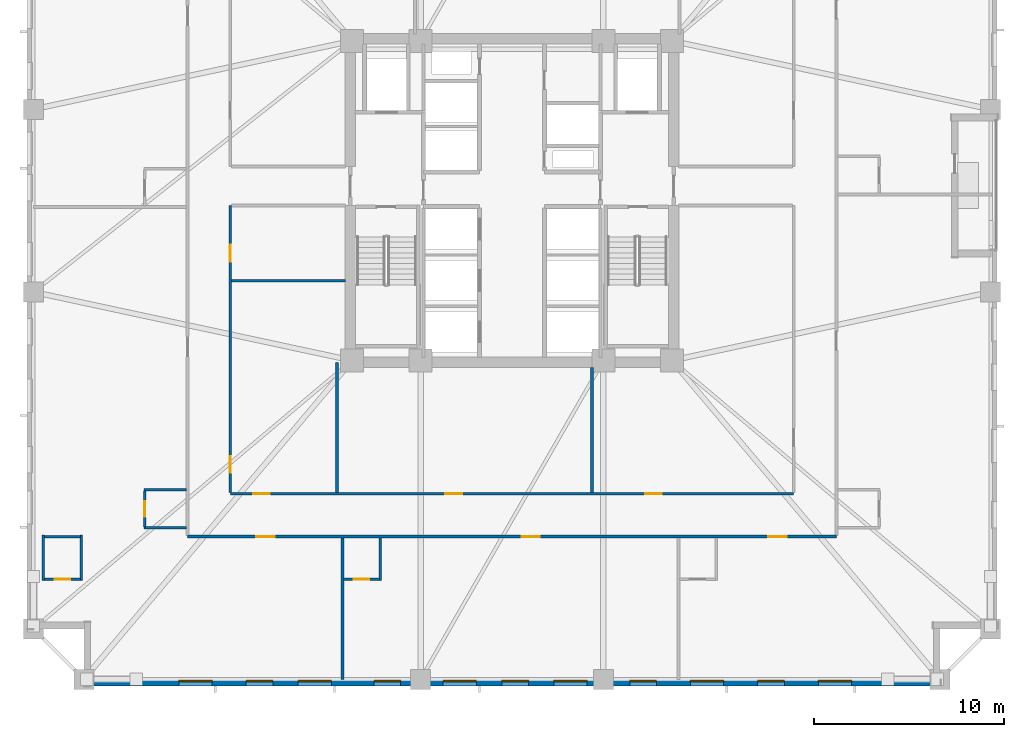
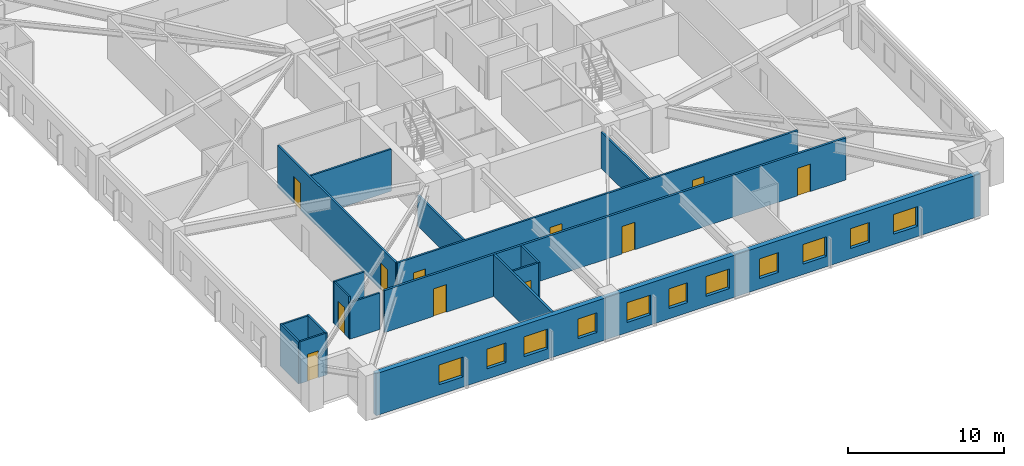
# One storey, part 2 of 11: 17 walls, 11 doors, 11 windows, 22 openings.
"""IFC4 building model written with IfcOpenShell, lengths in metres."""

from ifc_helpers import new_model, si_unit, direction, frame, frame_2d, origin, place, context, subcontext, project, spatial, rectangle, extrude, material, layer, layer_set, type_object, element, fill, save


model = new_model("IFC4")

# Units and contexts
model_context = context("Model", 3, precision=1e-05, world=origin(), true_north=direction((0.0, 1.0)))
body_context = subcontext(model_context, "Body", "Model", "MODEL_VIEW")
ifc_project = project(units=[si_unit("LENGTHUNIT", "METRE"), si_unit("AREAUNIT", "SQUARE_METRE"), si_unit("VOLUMEUNIT", "CUBIC_METRE"), si_unit("PLANEANGLEUNIT", "RADIAN"), si_unit("MASSUNIT", "GRAM", prefix="KILO")], contexts=[model_context])

# Site, building, storey
site_placement = place(None, origin())
site = spatial("IfcSite", under=ifc_project, at=site_placement, CompositionType="ELEMENT")
building_placement = place(site_placement, origin())
building = spatial("IfcBuilding", under=site, at=building_placement, Name="Cairnveth Concourse Tower", CompositionType="ELEMENT")
storey_placement = place(building_placement, frame((0.0, 0.0, 72.5)))
storey = spatial("IfcBuildingStorey", under=building, at=storey_placement, Name="L19", CompositionType="ELEMENT", Elevation=72.5)

# Wall, openings, doors
ifc_material_1 = material(Name="Gypsum Plasterboard Partition", Category="gypsum")
ifc_layer_1 = layer(ifc_material_1, 0.159912109375)
ifc_layer_set_1 = layer_set([ifc_layer_1], Name="Gypsum Plasterboard Partition")
wall_type_1 = type_object("IfcWallType", Name="ACOUSTIC PARTY WALL 180", PredefinedType="PARTITIONING", material=ifc_layer_set_1)
wall_1_placement = place(storey_placement, frame((34.949951171875, 21.35009765625, 0.0), z_axis=(0.0, 0.0, 1.0), x_axis=(1.0, 0.0, 0.0)))
wall_1 = element("IfcWall", 1, at=wall_1_placement, inside=storey, type_object=wall_type_1, Name="Interior Wall IW-L19-037", PredefinedType="PARTITIONING", context=body_context, shape_type="SweptSolid", body=[
    extrude(rectangle(XDim=34.10009765625, YDim=0.159912109375, at=frame_2d((17.050048828125, 0.0))), origin(), (0.0, 0.0, 1.0), 3.280029296875),
])
opening_1_placement = place(wall_1_placement, frame((3.61376953125, 0.0, 0.0)))
opening_1 = element("IfcOpeningElement", 2, at=opening_1_placement, cuts=wall_1, Name="Opening ID09", PredefinedType="OPENING", context=body_context, shape_type="SweptSolid", body=[
    extrude(rectangle(XDim=0.9599609375, YDim=2.14990234375, at=frame_2d((0.47998046875, 1.074951171875))), frame((0.0, 0.08984375, 0.0), z_axis=(0.0, -1.0, 0.0), x_axis=(1.0, 0.0, 0.0)), (0.0, 0.0, 1.0), 0.179931640625),
])
opening_2_placement = place(wall_1_placement, frame((17.56005859375, 0.0, 0.0)))
opening_2 = element("IfcOpeningElement", 3, at=opening_2_placement, cuts=wall_1, Name="Opening ID09", PredefinedType="OPENING", context=body_context, shape_type="SweptSolid", body=[
    extrude(rectangle(XDim=0.9599609375, YDim=2.14990234375, at=frame_2d((0.47998046875, 1.074951171875))), frame((0.0, 0.08984375, 0.0), z_axis=(0.0, -1.0, 0.0), x_axis=(1.0, 0.0, 0.0)), (0.0, 0.0, 1.0), 0.179931640625),
])
opening_3_placement = place(wall_1_placement, frame((30.51611328125, 0.0, 0.0)))
opening_3 = element("IfcOpeningElement", 4, at=opening_3_placement, cuts=wall_1, Name="Opening ID09", PredefinedType="OPENING", context=body_context, shape_type="SweptSolid", body=[
    extrude(rectangle(XDim=0.9599609375, YDim=2.14990234375, at=frame_2d((0.47998046875, 1.074951171875))), frame((0.0, 0.08984375, 0.0), z_axis=(0.0, -1.0, 0.0), x_axis=(1.0, 0.0, 0.0)), (0.0, 0.0, 1.0), 0.179931640625),
])
ifc_material_2 = material(Name="Solid Core Hardwood Timber Leaf", Category="wood")
door_type_1 = type_object("IfcDoorType", Name="HOTEL ENTRANCE DOOR 960X2150", OperationType="NOTDEFINED", PredefinedType="DOOR", material=ifc_material_2)
door_1_placement = place(opening_1_placement, origin())
door_1 = element("IfcDoor", 5, at=door_1_placement, inside=storey, type_object=door_type_1, Name="Hotel Room Door L19-S1", OperationType="SINGLE_SWING_LEFT", OverallHeight=2.14990234375, OverallWidth=0.9599609375, PredefinedType="DOOR", context=body_context, shape_type="SweptSolid", body=[
    extrude(rectangle(XDim=0.9599609375, YDim=2.14990234375, at=frame_2d((0.47998046875, 1.074951171875))), frame((0.0, 0.02490234375, 0.0), z_axis=(0.0, -1.0, 0.0), x_axis=(1.0, 0.0, 0.0)), (0.0, 0.0, 1.0), 0.050048828125),
])
fill(opening_1, door_1)
door_2_placement = place(opening_2_placement, origin())
door_2 = element("IfcDoor", 6, at=door_2_placement, inside=storey, type_object=door_type_1, Name="Hotel Room Door L19-S2", OperationType="SINGLE_SWING_LEFT", OverallHeight=2.14990234375, OverallWidth=0.9599609375, PredefinedType="DOOR", context=body_context, shape_type="SweptSolid", body=[
    extrude(rectangle(XDim=0.9599609375, YDim=2.14990234375, at=frame_2d((0.47998046875, 1.074951171875))), frame((0.0, 0.02490234375, 0.0), z_axis=(0.0, -1.0, 0.0), x_axis=(1.0, 0.0, 0.0)), (0.0, 0.0, 1.0), 0.050048828125),
])
fill(opening_2, door_2)
door_3_placement = place(opening_3_placement, origin())
door_3 = element("IfcDoor", 7, at=door_3_placement, inside=storey, type_object=door_type_1, Name="Hotel Room Door L19-S3", OperationType="SINGLE_SWING_LEFT", OverallHeight=2.14990234375, OverallWidth=0.9599609375, PredefinedType="DOOR", context=body_context, shape_type="SweptSolid", body=[
    extrude(rectangle(XDim=0.9599609375, YDim=2.14990234375, at=frame_2d((0.47998046875, 1.074951171875))), frame((0.0, 0.02490234375, 0.0), z_axis=(0.0, -1.0, 0.0), x_axis=(1.0, 0.0, 0.0)), (0.0, 0.0, 1.0), 0.050048828125),
])
fill(opening_3, door_3)

# Wall
wall_2_placement = place(storey_placement, frame((43.08740234375, 13.844970703125, 0.0), z_axis=(0.0, 0.0, 1.0), x_axis=(0.0, 1.0, 0.0)))
element("IfcWall", 8, at=wall_2_placement, inside=storey, type_object=wall_type_1, Name="Interior Wall IW-L19-060", PredefinedType="PARTITIONING", context=body_context, shape_type="SweptSolid", body=[
    extrude(rectangle(XDim=7.43994140625, YDim=0.159912109375, at=frame_2d((3.719970703125, 0.0))), origin(), (0.0, 0.0, 1.0), 3.280029296875),
])

# Wall, openings, doors
ifc_layer_2 = layer(ifc_material_1, 0.139892578125)
ifc_layer_set_2 = layer_set([ifc_layer_2], Name="Gypsum Plasterboard Partition")
wall_type_2 = type_object("IfcWallType", Name="GYPSUM STUD PARTITION 140", PredefinedType="PARTITIONING", material=ifc_layer_set_2)
wall_3_placement = place(storey_placement, frame((37.199951171875, 23.60009765625, 0.0), z_axis=(0.0, 0.0, 1.0), x_axis=(1.0, 0.0, 0.0)))
wall_3 = element("IfcWall", 9, at=wall_3_placement, inside=storey, type_object=wall_type_2, Name="Interior Wall IW-L19-041", PredefinedType="PARTITIONING", context=body_context, shape_type="SweptSolid", body=[
    extrude(rectangle(XDim=29.60009765625, YDim=0.139892578125, at=frame_2d((14.800048828125, 0.0))), origin(), (0.0, 0.0, 1.0), 3.280029296875),
])
opening_4_placement = place(wall_3_placement, frame((1.199951171875, 0.0, 0.0)))
opening_4 = element("IfcOpeningElement", 10, at=opening_4_placement, cuts=wall_3, Name="Opening ID18", PredefinedType="OPENING", context=body_context, shape_type="SweptSolid", body=[
    extrude(rectangle(XDim=0.8798828125, YDim=2.10009765625, at=frame_2d((0.43994140625, 1.050048828125))), frame((0.0, 0.079833984375, 0.0), z_axis=(0.0, -1.0, 0.0), x_axis=(1.0, 0.0, 0.0)), (0.0, 0.0, 1.0), 0.159912109375),
])
opening_5_placement = place(wall_3_placement, frame((11.300048828125, 0.0, 0.0)))
opening_5 = element("IfcOpeningElement", 11, at=opening_5_placement, cuts=wall_3, Name="Opening ID18", PredefinedType="OPENING", context=body_context, shape_type="SweptSolid", body=[
    extrude(rectangle(XDim=0.8798828125, YDim=2.10009765625, at=frame_2d((0.43994140625, 1.050048828125))), frame((0.0, 0.079833984375, 0.0), z_axis=(0.0, -1.0, 0.0), x_axis=(1.0, 0.0, 0.0)), (0.0, 0.0, 1.0), 0.159912109375),
])
opening_6_placement = place(wall_3_placement, frame((21.800048828125, 0.0, 0.0)))
opening_6 = element("IfcOpeningElement", 12, at=opening_6_placement, cuts=wall_3, Name="Opening ID18", PredefinedType="OPENING", context=body_context, shape_type="SweptSolid", body=[
    extrude(rectangle(XDim=0.8798828125, YDim=2.10009765625, at=frame_2d((0.43994140625, 1.050048828125))), frame((0.0, 0.079833984375, 0.0), z_axis=(0.0, -1.0, 0.0), x_axis=(1.0, 0.0, 0.0)), (0.0, 0.0, 1.0), 0.159912109375),
])
door_type_2 = type_object("IfcDoorType", Name="INTERIOR SINGLE DOOR 880X2100", OperationType="NOTDEFINED", PredefinedType="DOOR", material=ifc_material_2)
door_4_placement = place(opening_4_placement, origin())
door_4 = element("IfcDoor", 13, at=door_4_placement, inside=storey, type_object=door_type_2, Name="Interior Door DR-L19-013", OperationType="SINGLE_SWING_LEFT", OverallHeight=2.10009765625, OverallWidth=0.8798828125, PredefinedType="DOOR", context=body_context, shape_type="SweptSolid", body=[
    extrude(rectangle(XDim=0.8798828125, YDim=2.10009765625, at=frame_2d((0.43994140625, 1.050048828125))), frame((0.0, 0.02490234375, 0.0), z_axis=(0.0, -1.0, 0.0), x_axis=(1.0, 0.0, 0.0)), (0.0, 0.0, 1.0), 0.050048828125),
])
fill(opening_4, door_4)
door_5_placement = place(opening_5_placement, origin())
door_5 = element("IfcDoor", 14, at=door_5_placement, inside=storey, type_object=door_type_2, Name="Interior Door DR-L19-014", OperationType="SINGLE_SWING_RIGHT", OverallHeight=2.10009765625, OverallWidth=0.8798828125, PredefinedType="DOOR", context=body_context, shape_type="SweptSolid", body=[
    extrude(rectangle(XDim=0.8798828125, YDim=2.10009765625, at=frame_2d((0.43994140625, 1.050048828125))), frame((0.0, 0.02490234375, 0.0), z_axis=(0.0, -1.0, 0.0), x_axis=(1.0, 0.0, 0.0)), (0.0, 0.0, 1.0), 0.050048828125),
])
fill(opening_5, door_5)
door_6_placement = place(opening_6_placement, origin())
door_6 = element("IfcDoor", 15, at=door_6_placement, inside=storey, type_object=door_type_2, Name="Interior Door DR-L19-015", OperationType="SINGLE_SWING_LEFT", OverallHeight=2.10009765625, OverallWidth=0.8798828125, PredefinedType="DOOR", context=body_context, shape_type="SweptSolid", body=[
    extrude(rectangle(XDim=0.8798828125, YDim=2.10009765625, at=frame_2d((0.43994140625, 1.050048828125))), frame((0.0, 0.02490234375, 0.0), z_axis=(0.0, -1.0, 0.0), x_axis=(1.0, 0.0, 0.0)), (0.0, 0.0, 1.0), 0.050048828125),
])
fill(opening_6, door_6)

wall_4_placement = place(storey_placement, frame((37.199951171875, 23.655029296875, 0.0), z_axis=(0.0, 0.0, 1.0), x_axis=(0.0, 1.0, 0.0)))
wall_4 = element("IfcWall", 16, at=wall_4_placement, inside=storey, type_object=wall_type_2, Name="Interior Wall IW-L19-043", PredefinedType="PARTITIONING", context=body_context, shape_type="SweptSolid", body=[
    extrude(rectangle(XDim=15.094970703125, YDim=0.139892578125, at=frame_2d((7.54736328125, 0.0))), origin(), (0.0, 0.0, 1.0), 3.280029296875),
])
opening_7_placement = place(wall_4_placement, frame((1.044921875, 0.0, 0.0)))
opening_7 = element("IfcOpeningElement", 17, at=opening_7_placement, cuts=wall_4, Name="Opening ID18", PredefinedType="OPENING", context=body_context, shape_type="SweptSolid", body=[
    extrude(rectangle(XDim=0.8798828125, YDim=2.10009765625, at=frame_2d((0.43994140625, 1.050048828125))), frame((0.0, 0.079833984375, 0.0), z_axis=(0.0, -1.0, 0.0), x_axis=(1.0, 0.0, 0.0)), (0.0, 0.0, 1.0), 0.159912109375),
])
opening_8_placement = place(wall_4_placement, frame((12.14501953125, 0.0, 0.0)))
opening_8 = element("IfcOpeningElement", 18, at=opening_8_placement, cuts=wall_4, Name="Opening ID18", PredefinedType="OPENING", context=body_context, shape_type="SweptSolid", body=[
    extrude(rectangle(XDim=0.8798828125, YDim=2.10009765625, at=frame_2d((0.43994140625, 1.050048828125))), frame((0.0, 0.079833984375, 0.0), z_axis=(0.0, -1.0, 0.0), x_axis=(1.0, 0.0, 0.0)), (0.0, 0.0, 1.0), 0.159912109375),
])
door_7_placement = place(opening_7_placement, origin())
door_7 = element("IfcDoor", 19, at=door_7_placement, inside=storey, type_object=door_type_2, Name="Interior Door DR-L19-019", OperationType="SINGLE_SWING_LEFT", OverallHeight=2.10009765625, OverallWidth=0.8798828125, PredefinedType="DOOR", context=body_context, shape_type="SweptSolid", body=[
    extrude(rectangle(XDim=0.8798828125, YDim=2.10009765625, at=frame_2d((0.43994140625, 1.050048828125))), frame((0.0, 0.02490234375, 0.0), z_axis=(0.0, -1.0, 0.0), x_axis=(1.0, 0.0, 0.0)), (0.0, 0.0, 1.0), 0.050048828125),
])
fill(opening_7, door_7)
door_8_placement = place(opening_8_placement, origin())
door_8 = element("IfcDoor", 20, at=door_8_placement, inside=storey, type_object=door_type_2, Name="Interior Door DR-L19-020", OperationType="SINGLE_SWING_RIGHT", OverallHeight=2.10009765625, OverallWidth=0.8798828125, PredefinedType="DOOR", context=body_context, shape_type="SweptSolid", body=[
    extrude(rectangle(XDim=0.8798828125, YDim=2.10009765625, at=frame_2d((0.43994140625, 1.050048828125))), frame((0.0, 0.02490234375, 0.0), z_axis=(0.0, -1.0, 0.0), x_axis=(1.0, 0.0, 0.0)), (0.0, 0.0, 1.0), 0.050048828125),
])
fill(opening_8, door_8)

# Walls
wall_5_placement = place(storey_placement, frame((42.800048828125, 23.655029296875, 0.0), z_axis=(0.0, 0.0, 1.0), x_axis=(0.0, 1.0, 0.0)))
element("IfcWall", 21, at=wall_5_placement, inside=storey, type_object=wall_type_2, Name="Interior Wall IW-L19-051", PredefinedType="PARTITIONING", context=body_context, shape_type="SweptSolid", body=[
    extrude(rectangle(XDim=6.844970703125, YDim=0.139892578125, at=frame_2d((3.42236328125, 0.0))), origin(), (0.0, 0.0, 1.0), 2.43896484375),
])
wall_6_placement = place(storey_placement, frame((56.199951171875, 23.655029296875, 0.0), z_axis=(0.0, 0.0, 1.0), x_axis=(0.0, 1.0, 0.0)))
element("IfcWall", 22, at=wall_6_placement, inside=storey, type_object=wall_type_2, Name="Interior Wall IW-L19-052", PredefinedType="PARTITIONING", context=body_context, shape_type="SweptSolid", body=[
    extrude(rectangle(XDim=6.5849609375, YDim=0.139892578125, at=frame_2d((3.29248046875, 0.0))), origin(), (0.0, 0.0, 1.0), 2.84912109375),
])
wall_7_placement = place(storey_placement, frame((37.2548828125, 34.800048828125, 0.0), z_axis=(0.0, 0.0, 1.0), x_axis=(1.0, 0.0, 0.0)))
element("IfcWall", 23, at=wall_7_placement, inside=storey, type_object=wall_type_2, Name="Interior Wall IW-L19-055", PredefinedType="PARTITIONING", context=body_context, shape_type="SweptSolid", body=[
    extrude(rectangle(XDim=5.985107421875, YDim=0.139892578125, at=frame_2d((2.99267578125, 0.0))), origin(), (0.0, 0.0, 1.0), 3.280029296875),
])
ifc_layer_3 = layer(ifc_material_1, 0.1298828125)
ifc_layer_set_3 = layer_set([ifc_layer_3], Name="Gypsum Plasterboard Partition")
wall_type_3 = type_object("IfcWallType", Name="WET AREA PARTITION 140", PredefinedType="PLUMBINGWALL", material=ifc_layer_set_3)
for number, where, z_axis, x_axis, name in (
    (24, (27.3701171875, 19.050048828125, 0.0), (0.0, 0.0, 1.0), (0.0, 1.0, 0.0), "Interior Wall IW-L19-056"),
    (25, (29.3701171875, 19.050048828125, 0.0), (0.0, 0.0, 1.0), (0.0, 1.0, 0.0), "Interior Wall IW-L19-057"),
):
    element("IfcWall", number, at=place(storey_placement, frame(where, z_axis=z_axis, x_axis=x_axis)), inside=storey, type_object=wall_type_3, Name=name, PredefinedType="PLUMBINGWALL", context=body_context, shape_type="SweptSolid", body=[
        extrude(rectangle(XDim=2.3798828125, YDim=0.1298828125, at=frame_2d((1.18994140625, 0.0))), origin(), (0.0, 0.0, 1.0), 3.280029296875),
    ])

# Wall, opening, door
wall_8_placement = place(storey_placement, frame((27.419921875, 19.10009765625, 0.0), z_axis=(0.0, 0.0, 1.0), x_axis=(1.0, 0.0, 0.0)))
wall_8 = element("IfcWall", 26, at=wall_8_placement, inside=storey, type_object=wall_type_3, Name="Interior Wall IW-L19-058", PredefinedType="PLUMBINGWALL", context=body_context, shape_type="SweptSolid", body=[
    extrude(rectangle(XDim=1.900146484375, YDim=0.1298828125, at=frame_2d((0.9501953125, 0.0))), origin(), (0.0, 0.0, 1.0), 3.280029296875),
])
opening_9_placement = place(wall_8_placement, frame((0.5400390625, 0.0, 0.0)))
opening_9 = element("IfcOpeningElement", 27, at=opening_9_placement, cuts=wall_8, Name="Opening ID22", PredefinedType="OPENING", context=body_context, shape_type="SweptSolid", body=[
    extrude(rectangle(XDim=0.820068359375, YDim=2.10009765625, at=frame_2d((0.41015625, 1.050048828125))), frame((0.0, 0.074951171875, 0.0), z_axis=(0.0, -1.0, 0.0), x_axis=(1.0, 0.0, 0.0)), (0.0, 0.0, 1.0), 0.14990234375),
])
door_type_3 = type_object("IfcDoorType", Name="INTERIOR WC DOOR 820X2100", OperationType="NOTDEFINED", PredefinedType="DOOR", material=ifc_material_2)
door_9_placement = place(opening_9_placement, origin())
door_9 = element("IfcDoor", 28, at=door_9_placement, inside=storey, type_object=door_type_3, Name="En-Suite Door L19-S1", OperationType="SINGLE_SWING_RIGHT", OverallHeight=2.10009765625, OverallWidth=0.820068359375, PredefinedType="DOOR", context=body_context, shape_type="SweptSolid", body=[
    extrude(rectangle(XDim=0.820068359375, YDim=2.10009765625, at=frame_2d((0.41015625, 1.050048828125))), frame((0.0, 0.02490234375, 0.0), z_axis=(0.0, -1.0, 0.0), x_axis=(1.0, 0.0, 0.0)), (0.0, 0.0, 1.0), 0.050048828125),
])
fill(opening_9, door_9)

# Walls
wall_9_placement = place(storey_placement, frame((27.419921875, 21.35009765625, 0.0), z_axis=(0.0, 0.0, 1.0), x_axis=(1.0, 0.0, 0.0)))
element("IfcWall", 29, at=wall_9_placement, inside=storey, type_object=wall_type_3, Name="Interior Wall IW-L19-059", PredefinedType="PLUMBINGWALL", context=body_context, shape_type="SweptSolid", body=[
    extrude(rectangle(XDim=1.900146484375, YDim=0.1298828125, at=frame_2d((0.9501953125, 0.0))), origin(), (0.0, 0.0, 1.0), 3.280029296875),
])
wall_10_placement = place(storey_placement, frame((45.08740234375, 19.050048828125, 0.0), z_axis=(0.0, 0.0, 1.0), x_axis=(0.0, 1.0, 0.0)))
element("IfcWall", 30, at=wall_10_placement, inside=storey, type_object=wall_type_3, Name="Interior Wall IW-L19-061", PredefinedType="PLUMBINGWALL", context=body_context, shape_type="SweptSolid", body=[
    extrude(rectangle(XDim=2.23486328125, YDim=0.1298828125, at=frame_2d((1.117431640625, 0.0))), origin(), (0.0, 0.0, 1.0), 3.280029296875),
])

# Wall, opening, door
wall_11_placement = place(storey_placement, frame((43.152587890625, 19.10009765625, 0.0), z_axis=(0.0, 0.0, 1.0), x_axis=(1.0, 0.0, 0.0)))
wall_11 = element("IfcWall", 31, at=wall_11_placement, inside=storey, type_object=wall_type_3, Name="Interior Wall IW-L19-062", PredefinedType="PLUMBINGWALL", context=body_context, shape_type="SweptSolid", body=[
    extrude(rectangle(XDim=1.885009765625, YDim=0.1298828125, at=frame_2d((0.9423828125, 0.0))), origin(), (0.0, 0.0, 1.0), 3.280029296875),
])
opening_10_placement = place(wall_11_placement, frame((0.52490234375, 0.0, 0.0)))
opening_10 = element("IfcOpeningElement", 32, at=opening_10_placement, cuts=wall_11, Name="Opening ID22", PredefinedType="OPENING", context=body_context, shape_type="SweptSolid", body=[
    extrude(rectangle(XDim=0.820068359375, YDim=2.10009765625, at=frame_2d((0.41015625, 1.050048828125))), frame((0.0, 0.074951171875, 0.0), z_axis=(0.0, -1.0, 0.0), x_axis=(1.0, 0.0, 0.0)), (0.0, 0.0, 1.0), 0.14990234375),
])
door_10_placement = place(opening_10_placement, origin())
door_10 = element("IfcDoor", 33, at=door_10_placement, inside=storey, type_object=door_type_3, Name="En-Suite Door L19-S2", OperationType="SINGLE_SWING_RIGHT", OverallHeight=2.10009765625, OverallWidth=0.820068359375, PredefinedType="DOOR", context=body_context, shape_type="SweptSolid", body=[
    extrude(rectangle(XDim=0.820068359375, YDim=2.10009765625, at=frame_2d((0.41015625, 1.050048828125))), frame((0.0, 0.02490234375, 0.0), z_axis=(0.0, -1.0, 0.0), x_axis=(1.0, 0.0, 0.0)), (0.0, 0.0, 1.0), 0.050048828125),
])
fill(opening_10, door_10)

# Walls
wall_12_placement = place(storey_placement, frame((32.64990234375, 21.800048828125, 0.0), z_axis=(0.0, 0.0, 1.0), x_axis=(1.0, 0.0, 0.0)))
element("IfcWall", 34, at=wall_12_placement, inside=storey, type_object=wall_type_3, Name="Interior Wall IW-L19-076", PredefinedType="PLUMBINGWALL", context=body_context, shape_type="SweptSolid", body=[
    extrude(rectangle(XDim=2.235107421875, YDim=0.1298828125, at=frame_2d((1.11767578125, 0.0))), origin(), (0.0, 0.0, 1.0), 2.84912109375),
])
wall_13_placement = place(storey_placement, frame((32.64990234375, 23.800048828125, 0.0), z_axis=(0.0, 0.0, 1.0), x_axis=(1.0, 0.0, 0.0)))
element("IfcWall", 35, at=wall_13_placement, inside=storey, type_object=wall_type_3, Name="Interior Wall IW-L19-077", PredefinedType="PLUMBINGWALL", context=body_context, shape_type="SweptSolid", body=[
    extrude(rectangle(XDim=2.235107421875, YDim=0.1298828125, at=frame_2d((1.11767578125, 0.0))), origin(), (0.0, 0.0, 1.0), 3.280029296875),
])

# Wall, opening, door
wall_14_placement = place(storey_placement, frame((32.699951171875, 21.85009765625, 0.0), z_axis=(0.0, 0.0, 1.0), x_axis=(0.0, 1.0, 0.0)))
wall_14 = element("IfcWall", 36, at=wall_14_placement, inside=storey, type_object=wall_type_3, Name="Interior Wall IW-L19-078", PredefinedType="PLUMBINGWALL", context=body_context, shape_type="SweptSolid", body=[
    extrude(rectangle(XDim=1.89990234375, YDim=0.1298828125, at=frame_2d((0.949951171875, 0.0))), origin(), (0.0, 0.0, 1.0), 3.280029296875),
])
opening_11_placement = place(wall_14_placement, frame((0.5400390625, 0.0, 0.0)))
opening_11 = element("IfcOpeningElement", 37, at=opening_11_placement, cuts=wall_14, Name="Opening ID22", PredefinedType="OPENING", context=body_context, shape_type="SweptSolid", body=[
    extrude(rectangle(XDim=0.820068359375, YDim=2.10009765625, at=frame_2d((0.41015625, 1.050048828125))), frame((0.0, 0.074951171875, 0.0), z_axis=(0.0, -1.0, 0.0), x_axis=(1.0, 0.0, 0.0)), (0.0, 0.0, 1.0), 0.14990234375),
])
door_11_placement = place(opening_11_placement, origin())
door_11 = element("IfcDoor", 38, at=door_11_placement, inside=storey, type_object=door_type_3, Name="En-Suite Door L19-W1", OperationType="SINGLE_SWING_RIGHT", OverallHeight=2.10009765625, OverallWidth=0.820068359375, PredefinedType="DOOR", context=body_context, shape_type="SweptSolid", body=[
    extrude(rectangle(XDim=0.820068359375, YDim=2.10009765625, at=frame_2d((0.41015625, 1.050048828125))), frame((0.0, 0.02490234375, 0.0), z_axis=(0.0, -1.0, 0.0), x_axis=(1.0, 0.0, 0.0)), (0.0, 0.0, 1.0), 0.050048828125),
])
fill(opening_11, door_11)

# Wall, openings, windows
ifc_material_3 = material(Name="Hawthorn Red-Ochre Fired Clay Brick Masonry", Category="masonry")
ifc_layer_4 = layer(ifc_material_3, 0.360107421875)
ifc_layer_set_4 = layer_set([ifc_layer_4], Name="Hawthorn Red-Ochre Fired Clay Brick Masonry")
wall_type_4 = type_object("IfcWallType", Name="ZONE 1 BRICK PIER SPANDREL WALL 360", PredefinedType="SOLIDWALL", material=ifc_layer_set_4)
wall_15_placement = place(storey_placement, frame((74.5, 13.679931640625, 0.0), z_axis=(0.0, 0.0, 1.0), x_axis=(-1.0, 0.0, 0.0)))
wall_15 = element("IfcWall", 39, at=wall_15_placement, inside=storey, type_object=wall_type_4, Name="Exterior Wall EW-L19-S03", PredefinedType="SOLIDWALL", context=body_context, shape_type="SweptSolid", body=[
    extrude(rectangle(XDim=44.662109375, YDim=0.360107421875, at=frame_2d((22.3310546875, 0.0))), origin(), (0.0, 0.0, 1.0), 3.280029296875),
])
opening_12_placement = place(wall_15_placement, frame((4.655029296875, 0.0, 0.800048828125)))
opening_12 = element("IfcOpeningElement", 40, at=opening_12_placement, cuts=wall_15, Name="Opening W06", PredefinedType="OPENING", context=body_context, shape_type="SweptSolid", body=[
    extrude(rectangle(XDim=1.75, YDim=1.5439453125, at=frame_2d((0.875, 0.77197265625))), frame((0.0, 0.18994140625, 0.0), z_axis=(0.0, -1.0, 0.0), x_axis=(1.0, 0.0, 0.0)), (0.0, 0.0, 1.0), 0.380126953125),
])
opening_13_placement = place(wall_15_placement, frame((8.190185546875, 0.0, 0.800048828125)))
opening_13 = element("IfcOpeningElement", 41, at=opening_13_placement, cuts=wall_15, Name="Opening W05", PredefinedType="OPENING", context=body_context, shape_type="SweptSolid", body=[
    extrude(rectangle(XDim=1.39990234375, YDim=1.5439453125, at=frame_2d((0.699951171875, 0.77197265625))), frame((0.0, 0.18994140625, 0.0), z_axis=(0.0, -1.0, 0.0), x_axis=(1.0, 0.0, 0.0)), (0.0, 0.0, 1.0), 0.380126953125),
])
opening_14_placement = place(wall_15_placement, frame((11.37548828125, 0.0, 0.800048828125)))
opening_14 = element("IfcOpeningElement", 42, at=opening_14_placement, cuts=wall_15, Name="Opening W06", PredefinedType="OPENING", context=body_context, shape_type="SweptSolid", body=[
    extrude(rectangle(XDim=1.75, YDim=1.5439453125, at=frame_2d((0.875, 0.77197265625))), frame((0.0, 0.18994140625, 0.0), z_axis=(0.0, -1.0, 0.0), x_axis=(1.0, 0.0, 0.0)), (0.0, 0.0, 1.0), 0.380126953125),
])
opening_15_placement = place(wall_15_placement, frame((14.91064453125, 0.0, 0.800048828125)))
opening_15 = element("IfcOpeningElement", 43, at=opening_15_placement, cuts=wall_15, Name="Opening W05", PredefinedType="OPENING", context=body_context, shape_type="SweptSolid", body=[
    extrude(rectangle(XDim=1.39990234375, YDim=1.5439453125, at=frame_2d((0.699951171875, 0.77197265625))), frame((0.0, 0.18994140625, 0.0), z_axis=(0.0, -1.0, 0.0), x_axis=(1.0, 0.0, 0.0)), (0.0, 0.0, 1.0), 0.380126953125),
])
opening_16_placement = place(wall_15_placement, frame((18.5458984375, 0.0, 0.800048828125)))
opening_16 = element("IfcOpeningElement", 44, at=opening_16_placement, cuts=wall_15, Name="Opening W06", PredefinedType="OPENING", context=body_context, shape_type="SweptSolid", body=[
    extrude(rectangle(XDim=1.75, YDim=1.5439453125, at=frame_2d((0.875, 0.77197265625))), frame((0.0, 0.18994140625, 0.0), z_axis=(0.0, -1.0, 0.0), x_axis=(1.0, 0.0, 0.0)), (0.0, 0.0, 1.0), 0.380126953125),
])
opening_17_placement = place(wall_15_placement, frame((21.631103515625, 0.0, 0.800048828125)))
opening_17 = element("IfcOpeningElement", 45, at=opening_17_placement, cuts=wall_15, Name="Opening W05", PredefinedType="OPENING", context=body_context, shape_type="SweptSolid", body=[
    extrude(rectangle(XDim=1.39990234375, YDim=1.5439453125, at=frame_2d((0.699951171875, 0.77197265625))), frame((0.0, 0.18994140625, 0.0), z_axis=(0.0, -1.0, 0.0), x_axis=(1.0, 0.0, 0.0)), (0.0, 0.0, 1.0), 0.380126953125),
])
opening_18_placement = place(wall_15_placement, frame((24.3662109375, 0.0, 0.800048828125)))
opening_18 = element("IfcOpeningElement", 46, at=opening_18_placement, cuts=wall_15, Name="Opening W06", PredefinedType="OPENING", context=body_context, shape_type="SweptSolid", body=[
    extrude(rectangle(XDim=1.75, YDim=1.5439453125, at=frame_2d((0.875, 0.77197265625))), frame((0.0, 0.18994140625, 0.0), z_axis=(0.0, -1.0, 0.0), x_axis=(1.0, 0.0, 0.0)), (0.0, 0.0, 1.0), 0.380126953125),
])
opening_19_placement = place(wall_15_placement, frame((28.351318359375, 0.0, 0.800048828125)))
opening_19 = element("IfcOpeningElement", 47, at=opening_19_placement, cuts=wall_15, Name="Opening W05", PredefinedType="OPENING", context=body_context, shape_type="SweptSolid", body=[
    extrude(rectangle(XDim=1.39990234375, YDim=1.5439453125, at=frame_2d((0.699951171875, 0.77197265625))), frame((0.0, 0.18994140625, 0.0), z_axis=(0.0, -1.0, 0.0), x_axis=(1.0, 0.0, 0.0)), (0.0, 0.0, 1.0), 0.380126953125),
])
opening_20_placement = place(wall_15_placement, frame((31.986572265625, 0.0, 0.800048828125)))
opening_20 = element("IfcOpeningElement", 48, at=opening_20_placement, cuts=wall_15, Name="Opening W06", PredefinedType="OPENING", context=body_context, shape_type="SweptSolid", body=[
    extrude(rectangle(XDim=1.75, YDim=1.5439453125, at=frame_2d((0.875, 0.77197265625))), frame((0.0, 0.18994140625, 0.0), z_axis=(0.0, -1.0, 0.0), x_axis=(1.0, 0.0, 0.0)), (0.0, 0.0, 1.0), 0.380126953125),
])
opening_21_placement = place(wall_15_placement, frame((35.07177734375, 0.0, 0.800048828125)))
opening_21 = element("IfcOpeningElement", 49, at=opening_21_placement, cuts=wall_15, Name="Opening W05", PredefinedType="OPENING", context=body_context, shape_type="SweptSolid", body=[
    extrude(rectangle(XDim=1.39990234375, YDim=1.5439453125, at=frame_2d((0.699951171875, 0.77197265625))), frame((0.0, 0.18994140625, 0.0), z_axis=(0.0, -1.0, 0.0), x_axis=(1.0, 0.0, 0.0)), (0.0, 0.0, 1.0), 0.380126953125),
])
opening_22_placement = place(wall_15_placement, frame((38.2568359375, 0.0, 0.800048828125)))
opening_22 = element("IfcOpeningElement", 50, at=opening_22_placement, cuts=wall_15, Name="Opening W06", PredefinedType="OPENING", context=body_context, shape_type="SweptSolid", body=[
    extrude(rectangle(XDim=1.75, YDim=1.5439453125, at=frame_2d((0.875, 0.77197265625))), frame((0.0, 0.18994140625, 0.0), z_axis=(0.0, -1.0, 0.0), x_axis=(1.0, 0.0, 0.0)), (0.0, 0.0, 1.0), 0.380126953125),
])
ifc_material_4 = material(Name="Double Glazed Low-E Clear Glass", Category="glass")
window_type_1 = type_object("IfcWindowType", Name="DEEP-SET HOTEL CASEMENT WINDOW 1400X1750", PartitioningType="DOUBLE_PANEL_VERTICAL", PredefinedType="WINDOW", material=ifc_material_4)
window_1_placement = place(opening_13_placement, origin())
window_1 = element("IfcWindow", 51, at=window_1_placement, inside=storey, type_object=window_type_1, Name="Gothic Lancet Window L19-3-2", OverallHeight=1.5439453125, OverallWidth=1.39990234375, PartitioningType="SINGLE_PANEL", PredefinedType="WINDOW", context=body_context, shape_type="SweptSolid", body=[
    extrude(rectangle(XDim=1.39990234375, YDim=1.5439453125, at=frame_2d((0.699951171875, 0.77197265625))), frame((0.0, -0.050048828125, 0.0), z_axis=(0.0, -1.0, 0.0), x_axis=(1.0, 0.0, 0.0)), (0.0, 0.0, 1.0), 0.06005859375),
])
fill(opening_13, window_1)
window_2_placement = place(opening_15_placement, origin())
window_2 = element("IfcWindow", 52, at=window_2_placement, inside=storey, type_object=window_type_1, Name="Gothic Lancet Window L19-3-4", OverallHeight=1.5439453125, OverallWidth=1.39990234375, PartitioningType="SINGLE_PANEL", PredefinedType="WINDOW", context=body_context, shape_type="SweptSolid", body=[
    extrude(rectangle(XDim=1.39990234375, YDim=1.5439453125, at=frame_2d((0.699951171875, 0.77197265625))), frame((0.0, -0.050048828125, 0.0), z_axis=(0.0, -1.0, 0.0), x_axis=(1.0, 0.0, 0.0)), (0.0, 0.0, 1.0), 0.06005859375),
])
fill(opening_15, window_2)
window_3_placement = place(opening_17_placement, origin())
window_3 = element("IfcWindow", 53, at=window_3_placement, inside=storey, type_object=window_type_1, Name="Gothic Lancet Window L19-3-6", OverallHeight=1.5439453125, OverallWidth=1.39990234375, PartitioningType="SINGLE_PANEL", PredefinedType="WINDOW", context=body_context, shape_type="SweptSolid", body=[
    extrude(rectangle(XDim=1.39990234375, YDim=1.5439453125, at=frame_2d((0.699951171875, 0.77197265625))), frame((0.0, -0.050048828125, 0.0), z_axis=(0.0, -1.0, 0.0), x_axis=(1.0, 0.0, 0.0)), (0.0, 0.0, 1.0), 0.06005859375),
])
fill(opening_17, window_3)
window_4_placement = place(opening_19_placement, origin())
window_4 = element("IfcWindow", 54, at=window_4_placement, inside=storey, type_object=window_type_1, Name="Gothic Lancet Window L19-3-8", OverallHeight=1.5439453125, OverallWidth=1.39990234375, PartitioningType="SINGLE_PANEL", PredefinedType="WINDOW", context=body_context, shape_type="SweptSolid", body=[
    extrude(rectangle(XDim=1.39990234375, YDim=1.5439453125, at=frame_2d((0.699951171875, 0.77197265625))), frame((0.0, -0.050048828125, 0.0), z_axis=(0.0, -1.0, 0.0), x_axis=(1.0, 0.0, 0.0)), (0.0, 0.0, 1.0), 0.06005859375),
])
fill(opening_19, window_4)
window_5_placement = place(opening_21_placement, origin())
window_5 = element("IfcWindow", 55, at=window_5_placement, inside=storey, type_object=window_type_1, Name="Gothic Lancet Window L19-3-10", OverallHeight=1.5439453125, OverallWidth=1.39990234375, PartitioningType="SINGLE_PANEL", PredefinedType="WINDOW", context=body_context, shape_type="SweptSolid", body=[
    extrude(rectangle(XDim=1.39990234375, YDim=1.5439453125, at=frame_2d((0.699951171875, 0.77197265625))), frame((0.0, -0.050048828125, 0.0), z_axis=(0.0, -1.0, 0.0), x_axis=(1.0, 0.0, 0.0)), (0.0, 0.0, 1.0), 0.06005859375),
])
fill(opening_21, window_5)
window_type_2 = type_object("IfcWindowType", Name="DEEP-SET HOTEL SUITE WINDOW 1750X1800", PartitioningType="DOUBLE_PANEL_VERTICAL", PredefinedType="WINDOW", material=ifc_material_4)
window_6_placement = place(opening_12_placement, origin())
window_6 = element("IfcWindow", 56, at=window_6_placement, inside=storey, type_object=window_type_2, Name="Gothic Lancet Window L19-3-1", OverallHeight=1.5439453125, OverallWidth=1.75, PartitioningType="SINGLE_PANEL", PredefinedType="WINDOW", context=body_context, shape_type="SweptSolid", body=[
    extrude(rectangle(XDim=1.75, YDim=1.5439453125, at=frame_2d((0.875, 0.77197265625))), frame((0.0, -0.050048828125, 0.0), z_axis=(0.0, -1.0, 0.0), x_axis=(1.0, 0.0, 0.0)), (0.0, 0.0, 1.0), 0.06005859375),
])
fill(opening_12, window_6)
window_7_placement = place(opening_14_placement, origin())
window_7 = element("IfcWindow", 57, at=window_7_placement, inside=storey, type_object=window_type_2, Name="Gothic Lancet Window L19-3-3", OverallHeight=1.5439453125, OverallWidth=1.75, PartitioningType="SINGLE_PANEL", PredefinedType="WINDOW", context=body_context, shape_type="SweptSolid", body=[
    extrude(rectangle(XDim=1.75, YDim=1.5439453125, at=frame_2d((0.875, 0.77197265625))), frame((0.0, -0.050048828125, 0.0), z_axis=(0.0, -1.0, 0.0), x_axis=(1.0, 0.0, 0.0)), (0.0, 0.0, 1.0), 0.06005859375),
])
fill(opening_14, window_7)
window_8_placement = place(opening_16_placement, origin())
window_8 = element("IfcWindow", 58, at=window_8_placement, inside=storey, type_object=window_type_2, Name="Gothic Lancet Window L19-3-5", OverallHeight=1.5439453125, OverallWidth=1.75, PartitioningType="SINGLE_PANEL", PredefinedType="WINDOW", context=body_context, shape_type="SweptSolid", body=[
    extrude(rectangle(XDim=1.75, YDim=1.5439453125, at=frame_2d((0.875, 0.77197265625))), frame((0.0, -0.050048828125, 0.0), z_axis=(0.0, -1.0, 0.0), x_axis=(1.0, 0.0, 0.0)), (0.0, 0.0, 1.0), 0.06005859375),
])
fill(opening_16, window_8)
window_9_placement = place(opening_18_placement, origin())
window_9 = element("IfcWindow", 59, at=window_9_placement, inside=storey, type_object=window_type_2, Name="Gothic Lancet Window L19-3-7", OverallHeight=1.5439453125, OverallWidth=1.75, PartitioningType="SINGLE_PANEL", PredefinedType="WINDOW", context=body_context, shape_type="SweptSolid", body=[
    extrude(rectangle(XDim=1.75, YDim=1.5439453125, at=frame_2d((0.875, 0.77197265625))), frame((0.0, -0.050048828125, 0.0), z_axis=(0.0, -1.0, 0.0), x_axis=(1.0, 0.0, 0.0)), (0.0, 0.0, 1.0), 0.06005859375),
])
fill(opening_18, window_9)
window_10_placement = place(opening_20_placement, origin())
window_10 = element("IfcWindow", 60, at=window_10_placement, inside=storey, type_object=window_type_2, Name="Gothic Lancet Window L19-3-9", OverallHeight=1.5439453125, OverallWidth=1.75, PartitioningType="SINGLE_PANEL", PredefinedType="WINDOW", context=body_context, shape_type="SweptSolid", body=[
    extrude(rectangle(XDim=1.75, YDim=1.5439453125, at=frame_2d((0.875, 0.77197265625))), frame((0.0, -0.050048828125, 0.0), z_axis=(0.0, -1.0, 0.0), x_axis=(1.0, 0.0, 0.0)), (0.0, 0.0, 1.0), 0.06005859375),
])
fill(opening_20, window_10)
window_11_placement = place(opening_22_placement, origin())
window_11 = element("IfcWindow", 61, at=window_11_placement, inside=storey, type_object=window_type_2, Name="Gothic Lancet Window L19-3-11", OverallHeight=1.5439453125, OverallWidth=1.75, PartitioningType="SINGLE_PANEL", PredefinedType="WINDOW", context=body_context, shape_type="SweptSolid", body=[
    extrude(rectangle(XDim=1.75, YDim=1.5439453125, at=frame_2d((0.875, 0.77197265625))), frame((0.0, -0.050048828125, 0.0), z_axis=(0.0, -1.0, 0.0), x_axis=(1.0, 0.0, 0.0)), (0.0, 0.0, 1.0), 0.06005859375),
])
fill(opening_22, window_11)

save(model, "model.ifc")
